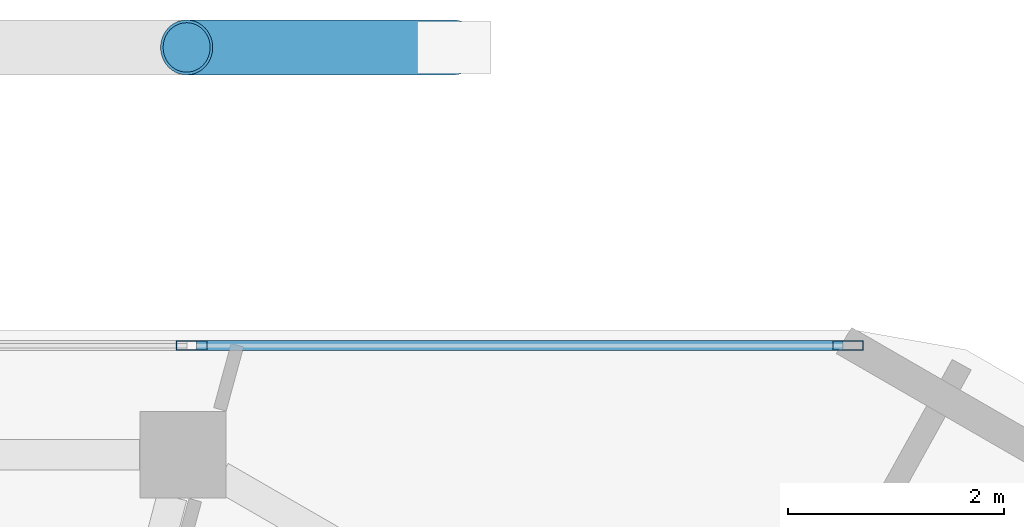
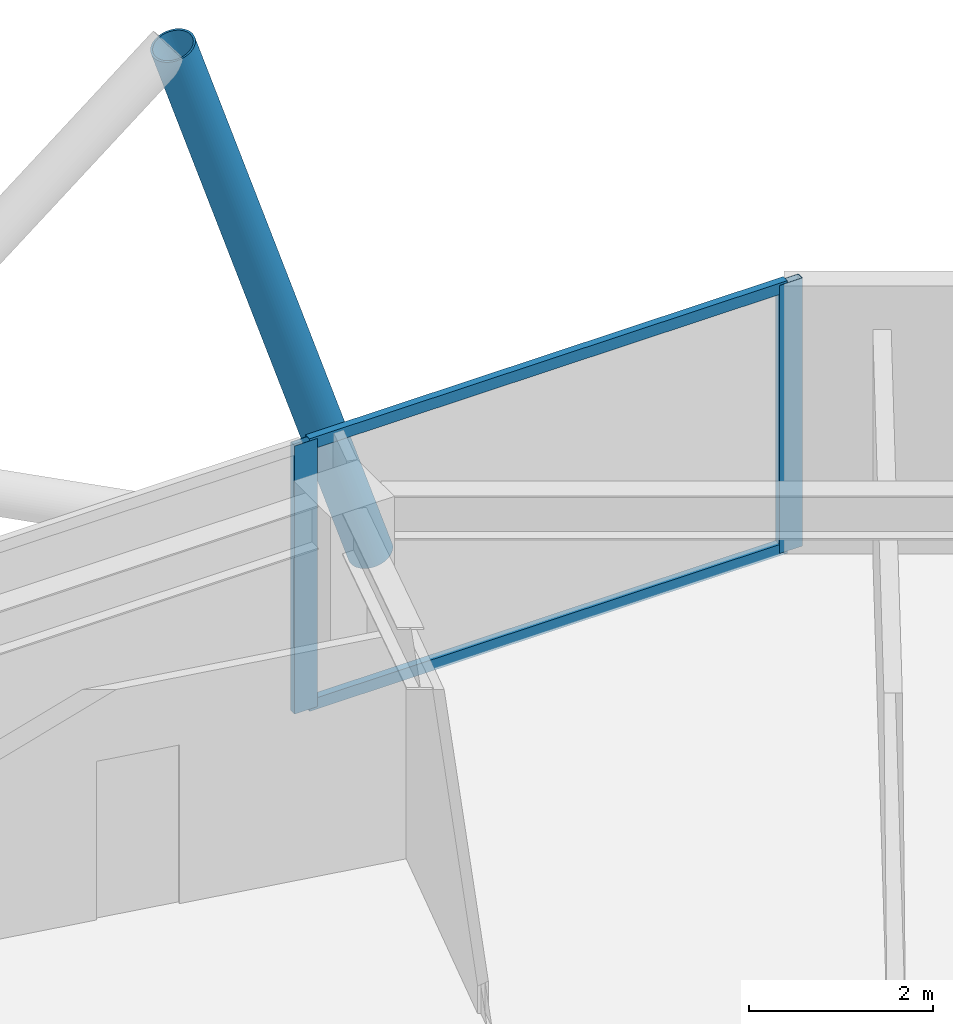
# One storey, part 14 of 23: 5 members, 1 element without a shape of its own.
"""IFC4 building model written with IfcOpenShell, lengths in metres."""

from ifc_helpers import new_model, si_unit, direction, frame, origin, origin_2d, place, context, subcontext, project, spatial, hollow_rectangle, hollow_circle, extrude, material, material_profile, profile_set, type_object, element, aggregate, save


model = new_model("IFC4")

# Units and contexts
model_context = context("Model", 3, precision=1e-05, world=origin(), true_north=direction((0.0, 1.0)))
body_context = subcontext(model_context, "Body", "Model", "MODEL_VIEW")
ifc_project = project(units=[si_unit("LENGTHUNIT", "METRE"), si_unit("AREAUNIT", "SQUARE_METRE"), si_unit("VOLUMEUNIT", "CUBIC_METRE"), si_unit("PLANEANGLEUNIT", "RADIAN"), si_unit("MASSUNIT", "GRAM", prefix="KILO")], contexts=[model_context])

# Site, building, storey
site_placement = place(None, origin())
site = spatial("IfcSite", under=ifc_project, at=site_placement, CompositionType="ELEMENT")
building_placement = place(site_placement, origin())
building = spatial("IfcBuilding", under=site, at=building_placement, Name="Zuhravey Tower", CompositionType="ELEMENT")
storey_placement = place(building_placement, frame((0.0, 0.0, 331.0)))
storey = spatial("IfcBuildingStorey", under=building, at=storey_placement, Name="L84", CompositionType="ELEMENT", Elevation=331.0)

# Curtain wall, members
ifc_material_1 = material(Name="Thermally broken anodised aluminium", Category="aluminium")
curtain_wall_type = type_object("IfcCurtainWallType", Name="Zone 3-4 High-Rise Curtain Wall CW4", PredefinedType="NOTDEFINED", material=ifc_material_1)
curtain_wall_placement = place(storey_placement, origin())
curtain_wall = element("IfcCurtainWall", 1, at=curtain_wall_placement, inside=storey, type_object=curtain_wall_type, Name="L84 CW4 CW-L84-F2-1", PredefinedType="NOTDEFINED")
ifc_material_2 = material(Name="Anodised aluminium", Category="aluminium")
ifc_material_profile_1 = material_profile(ifc_material_2, hollow_rectangle(XDim=0.090087890625, YDim=0.284912109375, WallThickness=0.0048828125, at=origin_2d()), Name="ALU-RHS-90x285x5")
ifc_profile_set_1 = profile_set([ifc_material_profile_1], Name="Anodised aluminium")
member_type_1 = type_object("IfcMemberType", Name="Curtain-Wall Mullion 90x180", PredefinedType="MULLION", material=ifc_profile_set_1)
member_1_placement = place(storey_placement, frame((42.11962890625, 56.07421875, 0.0), z_axis=(0.0, 0.0, 1.0), x_axis=(0.0, 1.0, 0.0)))
member_1 = element("IfcMember", 2, at=member_1_placement, type_object=member_type_1, Name="CW4 mullion 4", PredefinedType="MULLION", context=body_context, shape_type="SweptSolid", body=[
    extrude(hollow_rectangle(XDim=0.090087890625, YDim=0.284912109375, WallThickness=0.0048828125, at=origin_2d()), origin(), (0.0, 0.0, 1.0), 3.550048828125),
])
member_2_placement = place(storey_placement, frame((48.1943359375, 56.07421875, 0.0), z_axis=(0.0, 0.0, 1.0), x_axis=(0.0, 1.0, 0.0)))
member_2 = element("IfcMember", 3, at=member_2_placement, type_object=member_type_1, Name="CW4 mullion 5", PredefinedType="MULLION", context=body_context, shape_type="SweptSolid", body=[
    extrude(hollow_rectangle(XDim=0.090087890625, YDim=0.284912109375, WallThickness=0.0048828125, at=origin_2d()), origin(), (0.0, 0.0, 1.0), 3.550048828125),
])
ifc_material_profile_2 = material_profile(ifc_material_2, hollow_rectangle(XDim=0.090087890625, YDim=0.14990234375, WallThickness=0.0048828125, at=origin_2d()), Name="ALU-RHS-90x150x5")
ifc_profile_set_2 = profile_set([ifc_material_profile_2], Name="Anodised aluminium")
member_type_2 = type_object("IfcMemberType", Name="Curtain-Wall Transom 90x150", PredefinedType="USERDEFINED", material=ifc_profile_set_2)
member_3_placement = place(storey_placement, frame((42.16455078125, 56.07421875, 0.044921875), z_axis=(1.0, 0.0, 0.0), x_axis=(0.0, 1.0, 0.0)))
member_3 = element("IfcMember", 4, at=member_3_placement, type_object=member_type_2, Name="CW4 transom 4.1", ObjectType="TRANSOM", PredefinedType="USERDEFINED", context=body_context, shape_type="SweptSolid", body=[
    extrude(hollow_rectangle(XDim=0.090087890625, YDim=0.14990234375, WallThickness=0.0048828125, at=origin_2d()), origin(), (0.0, 0.0, 1.0), 5.98486328125),
])
member_4_placement = place(storey_placement, frame((42.16455078125, 56.07421875, 3.5048828125), z_axis=(1.0, 0.0, 0.0), x_axis=(0.0, 1.0, 0.0)))
member_4 = element("IfcMember", 5, at=member_4_placement, type_object=member_type_2, Name="CW4 transom 4.2", ObjectType="TRANSOM", PredefinedType="USERDEFINED", context=body_context, shape_type="SweptSolid", body=[
    extrude(hollow_rectangle(XDim=0.090087890625, YDim=0.14990234375, WallThickness=0.0048828125, at=origin_2d()), origin(), (0.0, 0.0, 1.0), 5.98486328125),
])
aggregate(curtain_wall, [member_1, member_2, member_3, member_4])

# Member
ifc_material_3 = material(Name="Steel SM355", Category="steel")
ifc_material_profile_3 = material_profile(ifc_material_3, hollow_circle(Radius=0.25390625, WallThickness=0.02490234375, at=origin_2d()), Name="CHS-508.0x25")
ifc_profile_set_3 = profile_set([ifc_material_profile_3], Name="Steel SM355")
member_type_3 = type_object("IfcMemberType", Name="Exoskeleton Zone 4 Diagrid CHS508x25", PredefinedType="BRACE", material=ifc_profile_set_3)
member_5_placement = place(storey_placement, frame((44.544189453125, 58.833984375, -0.447998046875), z_axis=(-0.310453809256, 0.0, 0.950588466329), x_axis=(0.0, -1.0, 0.0)))
element("IfcMember", 6, at=member_5_placement, inside=storey, type_object=member_type_3, Name="L84 Face 2 Diagrid Brace 1", PredefinedType="BRACE", context=body_context, shape_type="SweptSolid", body=[
    extrude(hollow_circle(Radius=0.25390625, WallThickness=0.02490234375, at=origin_2d()), origin(), (0.0, 0.0, 1.0), 7.96142578125),
])

save(model, "model.ifc")
